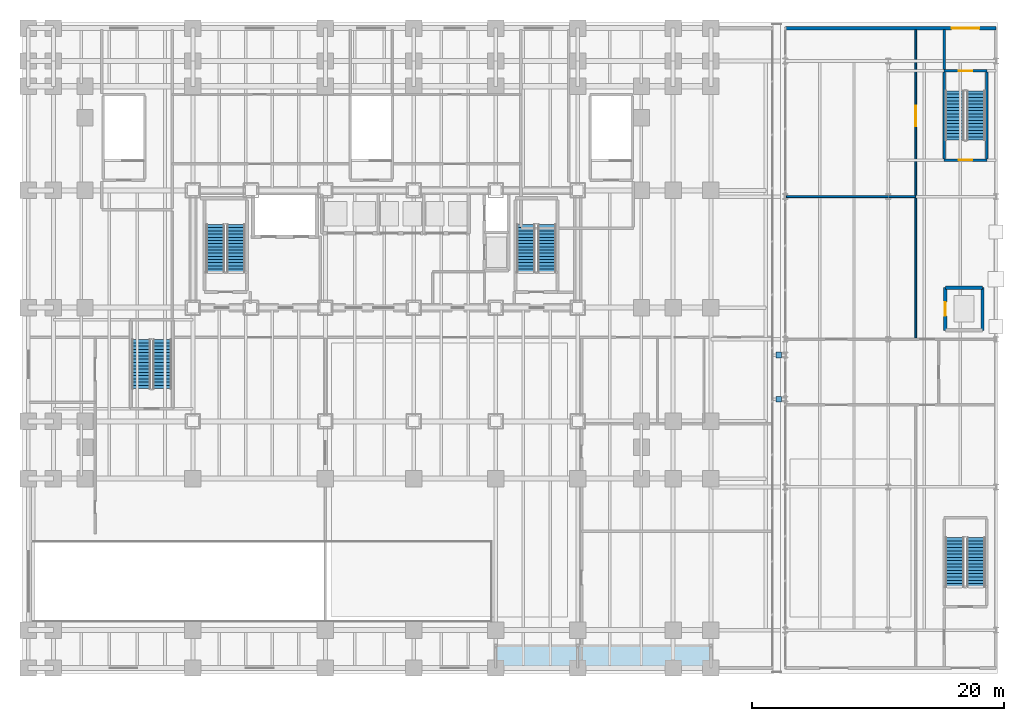
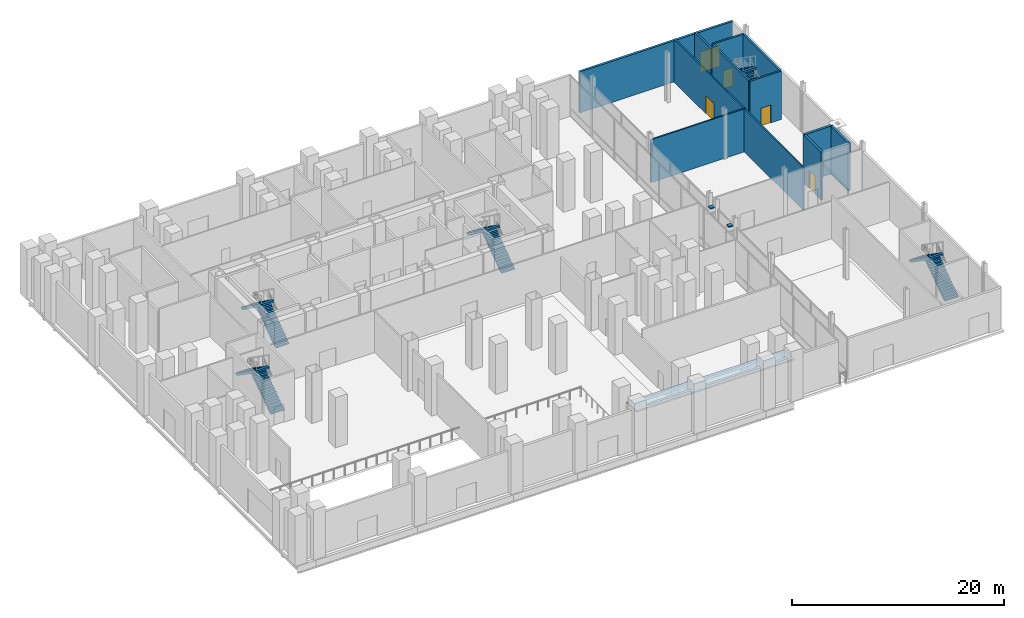
# One storey, part 26 of 36: 11 walls, 10 stair flights, 5 doors, 2 discrete accessories, 1 roof, 5 openings, 5 elements without a shape of their own.
"""IFC4 building model written with IfcOpenShell, lengths in metres."""

import ifcopenshell
import ifcopenshell.guid

model = None  # the IFC model being written
_history = None  # IfcOwnerHistory: only IFC2X3 demands one
_inside = {}  # id of a spatial element -> (the spatial element, [elements in it])
_under = {}  # id of a project, library or spatial element -> (it, [spatial elements below it])
_declared = {}  # id of a project -> (the project, [libraries it declares])
_typed = {}  # id of a type object -> (the type object, [elements of that type])
_made_of = {}  # id of a material, layer set ... -> (it, [elements and type objects made of it])


def new_model(schema):
    """Start an empty IFC model of exactly this schema.

    Asked for "IFC4X3", IfcOpenShell would pick the latest addendum, in which some entities
    have other attributes; the version numbers below select the first issue.
    IFC2X3 requires an IfcOwnerHistory on every rooted entity: one is made here for all.
    """
    global model, _history
    if schema == "IFC4X3":
        model = ifcopenshell.file(schema_version=(4, 3, 0, 0))
    else:
        model = ifcopenshell.file(schema=schema)
    _inside.clear()
    _under.clear()
    _declared.clear()
    _typed.clear()
    _made_of.clear()
    _history = None
    if model.schema == "IFC2X3":
        org = make("IfcOrganization", Name="unknown")
        user = make(
            "IfcPersonAndOrganization",
            ThePerson=make("IfcPerson", FamilyName="unknown"),
            TheOrganization=org,
        )
        app = make(
            "IfcApplication",
            ApplicationDeveloper=org,
            Version="unknown",
            ApplicationFullName="unknown",
            ApplicationIdentifier="unknown",
        )
        _history = make(
            "IfcOwnerHistory",
            OwningUser=user,
            OwningApplication=app,
            ChangeAction="ADDED",
            CreationDate=0,
        )
    return model


def make(cls, **values):
    """One entity of the class cls with the attributes given. An attribute that is None is left unset."""
    return model.create_entity(
        cls, **{name: value for name, value in values.items() if value is not None}
    )


def rooted(cls, **values):
    """An entity with a GlobalId (a new one), such as an element, a storey or a relation."""
    return make(cls, GlobalId=ifcopenshell.guid.new(), OwnerHistory=_history, **values)


def si_unit(unit_type, name, prefix=None):
    """IfcSIUnit, for example si_unit("LENGTHUNIT", "METRE", prefix="MILLI")."""
    return make("IfcSIUnit", UnitType=unit_type, Prefix=prefix, Name=name)


def assignment(units):
    """IfcUnitAssignment: the units of a project."""
    return None if units is None else make("IfcUnitAssignment", Units=units)


def point(xyz):
    """IfcCartesianPoint."""
    return None if xyz is None else make("IfcCartesianPoint", Coordinates=xyz)


def direction(xyz):
    """IfcDirection."""
    return None if xyz is None else make("IfcDirection", DirectionRatios=xyz)


def frame(location, z_axis=None, x_axis=None):
    """IfcAxis2Placement3D, a coordinate frame: its origin and axes. An axis left out is left unset."""
    return make(
        "IfcAxis2Placement3D",
        Location=point(location),
        Axis=direction(z_axis),
        RefDirection=direction(x_axis),
    )


def frame_2d(location, x_axis=None):
    """IfcAxis2Placement2D, a coordinate frame in the plane: its origin and x axis."""
    return make(
        "IfcAxis2Placement2D", Location=point(location), RefDirection=direction(x_axis)
    )


def origin():
    """The frame at (0, 0, 0) with its axes left unset."""
    return frame((0.0, 0.0, 0.0))


def origin_2d():
    """The frame at (0, 0) in the plane with its x axis left unset."""
    return frame_2d((0.0, 0.0))


def place(relative_to, where):
    """IfcLocalPlacement: puts the frame where relative to a parent placement (None: the world)."""
    return make(
        "IfcLocalPlacement", PlacementRelTo=relative_to, RelativePlacement=where
    )


def context(
    kind, dimensions, precision=None, world=None, true_north=None, identifier=None
):
    """IfcGeometricRepresentationContext, for example the 3D "Model" context."""
    return make(
        "IfcGeometricRepresentationContext",
        ContextIdentifier=identifier,
        ContextType=kind,
        CoordinateSpaceDimension=dimensions,
        Precision=precision,
        WorldCoordinateSystem=world,
        TrueNorth=true_north,
    )


def subcontext(parent, identifier, kind, view, scale=None):
    """IfcGeometricRepresentationSubContext, for example "Body" below "Model"."""
    return make(
        "IfcGeometricRepresentationSubContext",
        ContextIdentifier=identifier,
        ContextType=kind,
        ParentContext=parent,
        TargetScale=scale,
        TargetView=view,
    )


def project(units=None, contexts=None):
    """IfcProject with its units and contexts."""
    return rooted(
        "IfcProject",
        Name="project",
        RepresentationContexts=contexts,
        UnitsInContext=assignment(units),
    )


def spatial(cls, under=None, at=None, **own):
    """A site, building, storey or space (cls), placed at a placement, below another one or the project."""
    s = rooted(cls, ObjectPlacement=at, **own)
    if under is not None:
        _under.setdefault(under.id(), (under, []))[1].append(s)
    return s


def polyline(points):
    """IfcPolyline through the points."""
    return make("IfcPolyline", Points=[point(p) for p in points])


def profile(cls, at=None, kind="AREA", **sizes):
    """A parametric profile (cls). Its sizes go by their IFC names, for example OverallWidth=200.0."""
    return make(cls, ProfileType=kind, Position=at, **sizes)


def rectangle(**sizes):
    """IfcRectangleProfileDef."""
    return profile("IfcRectangleProfileDef", **sizes)


def outline(outer, holes=None, kind="AREA"):
    """IfcArbitraryClosedProfileDef: a profile drawn as a closed curve; with holes, ...WithVoids."""
    if holes is None:
        return make("IfcArbitraryClosedProfileDef", ProfileType=kind, OuterCurve=outer)
    return make(
        "IfcArbitraryProfileDefWithVoids",
        ProfileType=kind,
        OuterCurve=outer,
        InnerCurves=holes,
    )


def extrude(swept, where, along, depth):
    """IfcExtrudedAreaSolid: the profile swept, set in the frame where, extruded along a direction by depth."""
    return make(
        "IfcExtrudedAreaSolid",
        SweptArea=swept,
        Position=where,
        ExtrudedDirection=direction(along),
        Depth=depth,
    )


def shape(context_of_items, identifier, shape_type, items):
    """IfcShapeRepresentation: the items that make up one representation, for example the "Body"."""
    return make(
        "IfcShapeRepresentation",
        ContextOfItems=context_of_items,
        RepresentationIdentifier=identifier,
        RepresentationType=shape_type,
        Items=items,
    )


def material(Name=None, Category=None):
    """IfcMaterial."""
    return make("IfcMaterial", Name=Name, Category=Category)


def layer(
    of_material, thickness, ventilated=None, Name=None, Category=None, Priority=None
):
    """IfcMaterialLayer: one layer of a wall or slab, of a material (None: an air gap)."""
    return make(
        "IfcMaterialLayer",
        Material=of_material,
        LayerThickness=thickness,
        IsVentilated=ventilated,
        Name=Name,
        Category=Category,
        Priority=Priority,
    )


def layer_set(layers, Name=None):
    """IfcMaterialLayerSet."""
    return make("IfcMaterialLayerSet", MaterialLayers=layers, LayerSetName=Name)


def made_of(thing, what):
    """Note that an element or type object is made of a material, layer set ...; save() writes the relation."""
    if what is not None:
        _made_of.setdefault(what.id(), (what, []))[1].append(thing)
    return thing


def type_object(cls, material=None, **own):
    """A type object (cls), such as IfcWallType, which elements share."""
    return made_of(rooted(cls, **own), material)


def element(
    cls,
    number,
    at=None,
    inside=None,
    cuts=None,
    type_object=None,
    material=None,
    context=None,
    identifier="Body",
    shape_type=None,
    held_by="IfcProductDefinitionShape",
    body=None,
    shapes=None,
    **own,
):
    """One element of the class cls, such as IfcWall. Its Tag is "e" and its number.

    at: its placement. inside: the storey or other place that contains it. cuts: it is an
    opening in that element (IfcRelVoidsElement). A single representation is given by context,
    identifier, shape_type and body (its items); several are given by shapes. held_by: the class
    of the entity that holds the representations. save() writes the other relations.
    """
    e = rooted(cls, Tag="e%d" % number, ObjectPlacement=at, **own)
    if body is not None:
        shapes = [shape(context, identifier, shape_type, body)]
    if shapes is not None:
        e.Representation = make(held_by, Representations=shapes)
    if inside is not None:
        _inside.setdefault(inside.id(), (inside, []))[1].append(e)
    if cuts is not None:
        rooted(
            "IfcRelVoidsElement", RelatingBuildingElement=cuts, RelatedOpeningElement=e
        )
    if type_object is not None:
        _typed.setdefault(type_object.id(), (type_object, []))[1].append(e)
    return made_of(e, material)


def fill(opening, filler):
    """IfcRelFillsElement: the door or window that sits in an opening."""
    return rooted(
        "IfcRelFillsElement",
        RelatingOpeningElement=opening,
        RelatedBuildingElement=filler,
    )


def aggregate(whole, parts):
    """IfcRelAggregates: a whole, such as a stair, and the parts it consists of."""
    return rooted("IfcRelAggregates", RelatingObject=whole, RelatedObjects=parts)


def save(model, path):
    """Write the relations noted so far, then the file.

    IfcRelAggregates (storeys below a building ...), IfcRelContainedInSpatialStructure (elements
    in a storey), IfcRelDefinesByType, IfcRelAssociatesMaterial and IfcRelDeclares: one each for
    every whole, place, type object, material and project.
    """
    for whole, parts in _under.values():
        aggregate(whole, parts)
    for where, things in _inside.values():
        rooted(
            "IfcRelContainedInSpatialStructure",
            RelatedElements=things,
            RelatingStructure=where,
        )
    for kind, things in _typed.values():
        rooted("IfcRelDefinesByType", RelatedObjects=things, RelatingType=kind)
    for what, things in _made_of.values():
        rooted("IfcRelAssociatesMaterial", RelatedObjects=things, RelatingMaterial=what)
    for by, libraries in _declared.values():
        rooted("IfcRelDeclares", RelatingContext=by, RelatedDefinitions=libraries)
    model.write(path)


model = new_model("IFC4")

# Units and contexts
model_context = context("Model", 3, precision=1e-05, world=origin(), true_north=direction((0.0, 1.0)))
body_context = subcontext(model_context, "Body", "Model", "MODEL_VIEW")
ifc_project = project(units=[si_unit("LENGTHUNIT", "METRE"), si_unit("AREAUNIT", "SQUARE_METRE"), si_unit("VOLUMEUNIT", "CUBIC_METRE"), si_unit("PLANEANGLEUNIT", "RADIAN"), si_unit("MASSUNIT", "GRAM", prefix="KILO")], contexts=[model_context])

# Site, building, storey
site_placement = place(None, origin())
site = spatial("IfcSite", under=ifc_project, at=site_placement, CompositionType="ELEMENT")
building_placement = place(site_placement, origin())
building = spatial("IfcBuilding", under=site, at=building_placement, Name="Noeulbin Bourse Tower", CompositionType="ELEMENT")
storey_placement = place(building_placement, origin())
storey = spatial("IfcBuildingStorey", under=building, at=storey_placement, Name="L01", CompositionType="ELEMENT", Elevation=0.0)

# Wall, opening, door
ifc_material_1 = material(Name="Precast Concrete C40/50", Category="concrete")
ifc_layer_1 = layer(ifc_material_1, 0.25)
ifc_layer_set_1 = layer_set([ifc_layer_1], Name="Precast Concrete C40/50")
wall_type_1 = type_object("IfcWallType", Name="WAL-EXT-250", PredefinedType="STANDARD", material=ifc_layer_set_1)
wall_1_placement = place(storey_placement, frame((60.449951171875, 51.14990234375, 0.0), z_axis=(0.0, 0.0, 1.0), x_axis=(1.0, 0.0, 0.0)))
wall_1 = element("IfcWall", 1, at=wall_1_placement, inside=storey, type_object=wall_type_1, Name="Market Hall Ground North Wall", PredefinedType="STANDARD", context=body_context, shape_type="SweptSolid", body=[
    extrude(rectangle(XDim=16.699951171875, YDim=0.25, at=frame_2d((8.35009765625, 0.0))), origin(), (0.0, 0.0, 1.0), 4.75),
])
opening_1_placement = place(wall_1_placement, frame((13.169921875, 0.0, 0.0)))
opening_1 = element("IfcOpeningElement", 2, at=opening_1_placement, cuts=wall_1, Name="Opening ED-22", PredefinedType="OPENING", context=body_context, shape_type="SweptSolid", body=[
    extrude(rectangle(XDim=2.199951171875, YDim=2.39990234375, at=frame_2d((1.10009765625, 1.199951171875))), frame((0.0, 0.135009765625, 0.0), z_axis=(0.0, -1.0, 0.0), x_axis=(1.0, 0.0, 0.0)), (0.0, 0.0, 1.0), 0.27001953125),
])
ifc_material_2 = material(Name="Anodised Aluminium Framed Toughened Glass", Category="aluminium")
door_type_1 = type_object("IfcDoorType", Name="DR-EXT-2200", OperationType="DOUBLE_DOOR_SINGLE_SWING", PredefinedType="DOOR", material=ifc_material_2)
door_1_placement = place(opening_1_placement, origin())
door_1 = element("IfcDoor", 3, at=door_1_placement, inside=storey, type_object=door_type_1, Name="Market Stair MST2 Direct Street Exit Portal ED-M3", OperationType="DOUBLE_DOOR_SINGLE_SWING", OverallHeight=2.39990234375, OverallWidth=2.199951171875, PredefinedType="DOOR", context=body_context, shape_type="SweptSolid", body=[
    extrude(rectangle(XDim=2.199951171875, YDim=2.39990234375, at=frame_2d((1.10009765625, 1.199951171875))), frame((0.0, 0.02490234375, 0.0), z_axis=(0.0, -1.0, 0.0), x_axis=(1.0, 0.0, 0.0)), (0.0, 0.0, 1.0), 0.050048828125),
])
fill(opening_1, door_1)

ifc_material_3 = material(Name="Concrete C40/50", Category="concrete")
ifc_layer_2 = layer(ifc_material_3, 0.199951171875)
ifc_layer_set_2 = layer_set([ifc_layer_2], Name="Concrete C40/50")
wall_type_2 = type_object("IfcWallType", Name="WAL-FIRE-200", PredefinedType="STANDARD", material=ifc_layer_set_2)
wall_2_placement = place(storey_placement, frame((73.02001953125, 40.699951171875, 0.0), z_axis=(0.0, 0.0, 1.0), x_axis=(1.0, 0.0, 0.0)))
wall_2 = element("IfcWall", 4, at=wall_2_placement, inside=storey, type_object=wall_type_2, Name="Stair MST2 South Wall L01", PredefinedType="STANDARD", context=body_context, shape_type="SweptSolid", body=[
    extrude(rectangle(XDim=3.39990234375, YDim=0.199951171875, at=frame_2d((1.699951171875, 0.0))), origin(), (0.0, 0.0, 1.0), 5.580078125),
])
opening_2_placement = place(wall_2_placement, frame((1.14990234375, 0.0, 0.0)))
opening_2 = element("IfcOpeningElement", 5, at=opening_2_placement, cuts=wall_2, Name="Opening FD-11", PredefinedType="OPENING", context=body_context, shape_type="SweptSolid", body=[
    extrude(rectangle(XDim=1.10009765625, YDim=2.080078125, at=frame_2d((0.550048828125, 1.0400390625))), frame((0.0, 0.10986328125, 0.0), z_axis=(0.0, -1.0, 0.0), x_axis=(1.0, 0.0, 0.0)), (0.0, 0.0, 1.0), 0.219970703125),
])
ifc_material_4 = material(Name="Fire-Rated Insulated Steel", Category="steel")
door_type_2 = type_object("IfcDoorType", Name="DR-FD60-1100", OperationType="SINGLE_SWING_LEFT", PredefinedType="DOOR", material=ifc_material_4)
door_2_placement = place(opening_2_placement, origin())
door_2 = element("IfcDoor", 6, at=door_2_placement, inside=storey, type_object=door_type_2, Name="Escape Stair Door MST2-L01", OperationType="SINGLE_SWING_RIGHT", OverallHeight=2.080078125, OverallWidth=1.10009765625, PredefinedType="DOOR", context=body_context, shape_type="SweptSolid", body=[
    extrude(rectangle(XDim=1.10009765625, YDim=2.080078125, at=frame_2d((0.550048828125, 1.0400390625))), frame((0.0, 0.02490234375, 0.0), z_axis=(0.0, -1.0, 0.0), x_axis=(1.0, 0.0, 0.0)), (0.0, 0.0, 1.0), 0.050048828125),
])
fill(opening_2, door_2)

wall_3_placement = place(storey_placement, frame((73.02001953125, 47.760009765625, 0.0), z_axis=(0.0, 0.0, 1.0), x_axis=(1.0, 0.0, 0.0)))
wall_3 = element("IfcWall", 7, at=wall_3_placement, inside=storey, type_object=wall_type_2, Name="Stair MST2 North Wall L01", PredefinedType="STANDARD", context=body_context, shape_type="SweptSolid", body=[
    extrude(rectangle(XDim=3.39990234375, YDim=0.199951171875, at=frame_2d((1.699951171875, 0.0))), origin(), (0.0, 0.0, 1.0), 5.580078125),
])
opening_3_placement = place(wall_3_placement, frame((1.14990234375, 0.0, 0.0)))
opening_3 = element("IfcOpeningElement", 8, at=opening_3_placement, cuts=wall_3, Name="Opening FD-11", PredefinedType="OPENING", context=body_context, shape_type="SweptSolid", body=[
    extrude(rectangle(XDim=1.10009765625, YDim=2.080078125, at=frame_2d((0.550048828125, 1.0400390625))), frame((0.0, 0.10986328125, 0.0), z_axis=(0.0, -1.0, 0.0), x_axis=(1.0, 0.0, 0.0)), (0.0, 0.0, 1.0), 0.219970703125),
])
door_3_placement = place(opening_3_placement, origin())
door_3 = element("IfcDoor", 9, at=door_3_placement, inside=storey, type_object=door_type_2, Name="Escape Stair Discharge Door MST2-L01", OperationType="SINGLE_SWING_LEFT", OverallHeight=2.080078125, OverallWidth=1.10009765625, PredefinedType="DOOR", context=body_context, shape_type="SweptSolid", body=[
    extrude(rectangle(XDim=1.10009765625, YDim=2.080078125, at=frame_2d((0.550048828125, 1.0400390625))), frame((0.0, 0.02490234375, 0.0), z_axis=(0.0, -1.0, 0.0), x_axis=(1.0, 0.0, 0.0)), (0.0, 0.0, 1.0), 0.050048828125),
])
fill(opening_3, door_3)

# Walls
for number, where, z_axis, x_axis, name in (
    (10, (73.0400390625, 40.800048828125, 0.0), (0.0, 0.0, 1.0), (0.0, 1.0, 0.0), "Stair MST2 West Wall L01"),
    (11, (76.39990234375, 40.800048828125, 0.0), (0.0, 0.0, 1.0), (0.0, 1.0, 0.0), "Stair MST2 East Wall L01"),
):
    element("IfcWall", number, at=place(storey_placement, frame(where, z_axis=z_axis, x_axis=x_axis)), inside=storey, type_object=wall_type_2, Name=name, PredefinedType="STANDARD", context=body_context, shape_type="SweptSolid", body=[
        extrude(rectangle(XDim=6.85986328125, YDim=0.199951171875, at=frame_2d((3.429931640625, 0.0))), origin(), (0.0, 0.0, 1.0), 5.580078125),
    ])
wall_4_placement = place(storey_placement, frame((73.0400390625, 47.8701171875, 0.0), z_axis=(0.0, 0.0, 1.0), x_axis=(0.0, 1.0, 0.0)))
element("IfcWall", 12, at=wall_4_placement, inside=storey, type_object=wall_type_2, Name="Interior Partition Wall L01-26", PredefinedType="STANDARD", context=body_context, shape_type="SweptSolid", body=[
    extrude(rectangle(XDim=3.159912109375, YDim=0.199951171875, at=frame_2d((1.580078125, 0.0))), origin(), (0.0, 0.0, 1.0), 4.9599609375),
])
ifc_material_5 = material(Name="Steel Stud Acoustic Gypsum Board", Category="steel")
ifc_layer_3 = layer(ifc_material_5, 0.14990234375)
ifc_layer_set_3 = layer_set([ifc_layer_3], Name="Steel Stud Acoustic Gypsum Board")
wall_type_3 = type_object("IfcWallType", Name="WAL-PRT-150", PredefinedType="PARTITIONING", material=ifc_layer_set_3)
wall_5_placement = place(storey_placement, frame((60.530029296875, 37.800048828125, 0.0), z_axis=(0.0, 0.0, 1.0), x_axis=(1.0, 0.0, 0.0)))
element("IfcWall", 13, at=wall_5_placement, inside=storey, type_object=wall_type_3, Name="Interior Partition Wall L01-13", PredefinedType="PARTITIONING", context=body_context, shape_type="SweptSolid", body=[
    extrude(rectangle(XDim=10.25, YDim=0.14990234375, at=frame_2d((5.125, 0.0))), origin(), (0.0, 0.0, 1.0), 4.9599609375),
])

# Wall, opening, door
wall_6_placement = place(storey_placement, frame((70.780029296875, 26.5849609375, 0.0), z_axis=(0.0, 0.0, 1.0), x_axis=(0.0, 1.0, 0.0)))
wall_6 = element("IfcWall", 14, at=wall_6_placement, inside=storey, type_object=wall_type_3, Name="Interior Partition Wall L01-34", PredefinedType="PARTITIONING", context=body_context, shape_type="SweptSolid", body=[
    extrude(rectangle(XDim=24.445068359375, YDim=0.14990234375, at=frame_2d((12.22265625, 0.0))), origin(), (0.0, 0.0, 1.0), 4.9599609375),
])
opening_4_placement = place(wall_6_placement, frame((16.81494140625, 0.0, 0.0)))
opening_4 = element("IfcOpeningElement", 15, at=opening_4_placement, cuts=wall_6, Name="Opening ID-16", PredefinedType="OPENING", context=body_context, shape_type="SweptSolid", body=[
    extrude(rectangle(XDim=1.60009765625, YDim=2.080078125, at=frame_2d((0.800048828125, 1.0400390625))), frame((0.0, 0.0849609375, 0.0), z_axis=(0.0, -1.0, 0.0), x_axis=(1.0, 0.0, 0.0)), (0.0, 0.0, 1.0), 0.169921875),
])
ifc_material_6 = material(Name="Acoustic Glazed Aluminium", Category="aluminium")
door_type_3 = type_object("IfcDoorType", Name="DR-DBL-1600", OperationType="DOUBLE_DOOR_SINGLE_SWING", PredefinedType="DOOR", material=ifc_material_6)
door_4_placement = place(opening_4_placement, origin())
door_4 = element("IfcDoor", 16, at=door_4_placement, inside=storey, type_object=door_type_3, Name="Interior Door L01-17", OperationType="DOUBLE_DOOR_SINGLE_SWING", OverallHeight=2.080078125, OverallWidth=1.60009765625, PredefinedType="DOOR", context=body_context, shape_type="SweptSolid", body=[
    extrude(rectangle(XDim=1.60009765625, YDim=2.080078125, at=frame_2d((0.800048828125, 1.0400390625))), frame((0.0, 0.02490234375, 0.0), z_axis=(0.0, -1.0, 0.0), x_axis=(1.0, 0.0, 0.0)), (0.0, 0.0, 1.0), 0.050048828125),
])
fill(opening_4, door_4)

ifc_layer_4 = layer(ifc_material_3, 0.25)
ifc_layer_set_4 = layer_set([ifc_layer_4], Name="Concrete C40/50")
wall_type_4 = type_object("IfcWallType", Name="WAL-SHFT-250", PredefinedType="STANDARD", material=ifc_layer_set_4)
wall_7_placement = place(storey_placement, frame((73.1201171875, 27.199951171875, 0.0), z_axis=(0.0, 0.0, 1.0), x_axis=(0.0, 1.0, 0.0)))
wall_7 = element("IfcWall", 17, at=wall_7_placement, inside=storey, type_object=wall_type_4, Name="Market Lift Shaft Front Wall L01", PredefinedType="STANDARD", context=body_context, shape_type="SweptSolid", body=[
    extrude(rectangle(XDim=3.400146484375, YDim=0.25, at=frame_2d((1.7001953125, 0.0))), origin(), (0.0, 0.0, 1.0), 5.550048828125),
])
opening_5_placement = place(wall_7_placement, frame((1.14990234375, 0.0, 0.0)))
opening_5 = element("IfcOpeningElement", 18, at=opening_5_placement, cuts=wall_7, Name="Opening LD-11", PredefinedType="OPENING", context=body_context, shape_type="SweptSolid", body=[
    extrude(rectangle(XDim=1.10009765625, YDim=2.080078125, at=frame_2d((0.550048828125, 1.0400390625))), frame((0.0, 0.135009765625, 0.0), z_axis=(0.0, -1.0, 0.0), x_axis=(1.0, 0.0, 0.0)), (0.0, 0.0, 1.0), 0.27001953125),
])
ifc_material_7 = material(Name="Brushed Stainless Steel 316", Category="steel")
door_type_4 = type_object("IfcDoorType", Name="DR-LIFT-1100", OperationType="SLIDING_TO_LEFT", PredefinedType="DOOR", material=ifc_material_7)
door_5_placement = place(opening_5_placement, origin())
door_5 = element("IfcDoor", 19, at=door_5_placement, inside=storey, type_object=door_type_4, Name="Lift Landing Door LD-ML-1-L01", OperationType="SLIDING_TO_LEFT", OverallHeight=2.080078125, OverallWidth=1.10009765625, PredefinedType="DOOR", context=body_context, shape_type="SweptSolid", body=[
    extrude(rectangle(XDim=1.10009765625, YDim=2.080078125, at=frame_2d((0.550048828125, 1.0400390625))), frame((0.0, 0.02490234375, 0.0), z_axis=(0.0, -1.0, 0.0), x_axis=(1.0, 0.0, 0.0)), (0.0, 0.0, 1.0), 0.050048828125),
])
fill(opening_5, door_5)

# Walls
wall_8_placement = place(storey_placement, frame((76.080078125, 27.199951171875, 0.0), z_axis=(0.0, 0.0, 1.0), x_axis=(0.0, 1.0, 0.0)))
element("IfcWall", 20, at=wall_8_placement, inside=storey, type_object=wall_type_4, Name="Market Lift Shaft Back Wall L01", PredefinedType="STANDARD", context=body_context, shape_type="SweptSolid", body=[
    extrude(rectangle(XDim=3.400146484375, YDim=0.25, at=frame_2d((1.7001953125, 0.0))), origin(), (0.0, 0.0, 1.0), 5.550048828125),
])
wall_9_placement = place(storey_placement, frame((73.1201171875, 30.580078125, 0.0), z_axis=(0.0, 0.0, 1.0), x_axis=(1.0, 0.0, 0.0)))
element("IfcWall", 21, at=wall_9_placement, inside=storey, type_object=wall_type_4, Name="Market Lift Shaft North Wall L01", PredefinedType="STANDARD", context=body_context, shape_type="SweptSolid", body=[
    extrude(rectangle(XDim=2.9599609375, YDim=0.25, at=frame_2d((1.47998046875, 0.0))), origin(), (0.0, 0.0, 1.0), 5.550048828125),
])

# Stair, stair flights
stair_type_1 = type_object("IfcStairType", Name="STR-AUX-1620", PredefinedType="HALF_TURN_STAIR", material=ifc_material_3)
stair_1_placement = place(storey_placement, origin())
stair_1 = element("IfcStair", 22, at=stair_1_placement, inside=storey, type_object=stair_type_1, Name="L01 ST-P1", PredefinedType="HALF_TURN_STAIR")
stair_flight_type_1 = type_object("IfcStairFlightType", Name="SFL-AUX-1620", PredefinedType="STRAIGHT", material=ifc_material_3)
stair_flight_1_placement = place(storey_placement, frame((11.070068359375, 22.580078125, 0.0), z_axis=(0.0, 0.0, 1.0), x_axis=(0.0, 1.0, 0.0)))
stair_flight_1 = element("IfcStairFlight", 23, at=stair_flight_1_placement, type_object=stair_flight_type_1, Name="ST-P1 flight 1", NumberOfRisers=16, NumberOfTreads=15, PredefinedType="STRAIGHT", RiserHeight=0.18125, TreadLength=0.26, context=body_context, shape_type="SweptSolid", body=[
    extrude(outline(polyline([(0.0, 0.0), (0.0, 0.18115234375), (0.260009765625, 0.18115234375), (0.260009765625, 0.362548828125), (0.52001953125, 0.362548828125), (0.52001953125, 0.543701171875), (0.780029296875, 0.543701171875), (0.780029296875, 0.72509765625), (1.0400390625, 0.72509765625), (1.0400390625, 0.90625), (1.300048828125, 0.90625), (1.300048828125, 1.08740234375), (1.56005859375, 1.08740234375), (1.56005859375, 1.268798828125), (1.820068359375, 1.268798828125), (1.820068359375, 1.449951171875), (2.080078125, 1.449951171875), (2.080078125, 1.63134765625), (2.340087890625, 1.63134765625), (2.340087890625, 1.8125), (2.60009765625, 1.8125), (2.60009765625, 1.99365234375), (2.860107421875, 1.99365234375), (2.860107421875, 2.175048828125), (3.1201171875, 2.175048828125), (3.1201171875, 2.356201171875), (3.3798828125, 2.356201171875), (3.3798828125, 2.53759765625), (3.639892578125, 2.53759765625), (3.639892578125, 2.71875), (3.89990234375, 2.71875), (3.89990234375, 2.89990234375), (3.89990234375, 2.49951171875), (0.314697265625, 0.0), (0.0, 0.0)])), frame((0.0, 0.72998046875, 0.0), z_axis=(0.0, -1.0, 0.0), x_axis=(1.0, 0.0, 0.0)), (0.0, 0.0, 1.0), 1.4599609375),
])
stair_flight_2_placement = place(storey_placement, frame((9.409912109375, 26.47998046875, 2.89990234375), z_axis=(0.0, 0.0, 1.0), x_axis=(0.0, -1.0, 0.0)))
stair_flight_2 = element("IfcStairFlight", 24, at=stair_flight_2_placement, type_object=stair_flight_type_1, Name="ST-P1 flight 2", NumberOfRisers=16, NumberOfTreads=15, PredefinedType="STRAIGHT", RiserHeight=0.18125, TreadLength=0.26, context=body_context, shape_type="SweptSolid", body=[
    extrude(outline(polyline([(0.0, 0.0), (0.0, 0.18115234375), (0.260009765625, 0.18115234375), (0.260009765625, 0.362548828125), (0.52001953125, 0.362548828125), (0.52001953125, 0.543701171875), (0.780029296875, 0.543701171875), (0.780029296875, 0.72509765625), (1.0400390625, 0.72509765625), (1.0400390625, 0.90625), (1.300048828125, 0.90625), (1.300048828125, 1.08740234375), (1.56005859375, 1.08740234375), (1.56005859375, 1.268798828125), (1.820068359375, 1.268798828125), (1.820068359375, 1.449951171875), (2.080078125, 1.449951171875), (2.080078125, 1.63134765625), (2.340087890625, 1.63134765625), (2.340087890625, 1.8125), (2.60009765625, 1.8125), (2.60009765625, 1.99365234375), (2.860107421875, 1.99365234375), (2.860107421875, 2.175048828125), (3.1201171875, 2.175048828125), (3.1201171875, 2.356201171875), (3.3798828125, 2.356201171875), (3.3798828125, 2.53759765625), (3.639892578125, 2.53759765625), (3.639892578125, 2.71875), (3.89990234375, 2.71875), (3.89990234375, 2.89990234375), (3.89990234375, 2.49951171875), (0.314697265625, 0.0), (0.0, 0.0)])), frame((0.0, 0.72998046875, 0.0), z_axis=(0.0, -1.0, 0.0), x_axis=(1.0, 0.0, 0.0)), (0.0, 0.0, 1.0), 1.4599609375),
])
aggregate(stair_1, [stair_flight_1, stair_flight_2])

stair_type_2 = type_object("IfcStairType", Name="STR-CORE-1560", PredefinedType="HALF_TURN_STAIR", material=ifc_material_3)
stair_2_placement = place(storey_placement, origin())
stair_2 = element("IfcStair", 25, at=stair_2_placement, inside=storey, type_object=stair_type_2, Name="L01 ST-1", PredefinedType="HALF_TURN_STAIR")
stair_flight_type_2 = type_object("IfcStairFlightType", Name="SFL-CORE-1560", PredefinedType="STRAIGHT", material=ifc_material_3)
stair_flight_3_placement = place(storey_placement, frame((16.925048828125, 31.81005859375, 0.0), z_axis=(0.0, 0.0, 1.0), x_axis=(0.0, 1.0, 0.0)))
stair_flight_3 = element("IfcStairFlight", 26, at=stair_flight_3_placement, type_object=stair_flight_type_2, Name="ST-1 flight 1", NumberOfRisers=16, NumberOfTreads=15, PredefinedType="STRAIGHT", RiserHeight=0.18125, TreadLength=0.252, context=body_context, shape_type="SweptSolid", body=[
    extrude(outline(polyline([(0.0, 0.0), (0.0, 0.18115234375), (0.251953125, 0.18115234375), (0.251953125, 0.362548828125), (0.50390625, 0.362548828125), (0.50390625, 0.543701171875), (0.756103515625, 0.543701171875), (0.756103515625, 0.72509765625), (1.008056640625, 0.72509765625), (1.008056640625, 0.90625), (1.260009765625, 0.90625), (1.260009765625, 1.08740234375), (1.511962890625, 1.08740234375), (1.511962890625, 1.268798828125), (1.763916015625, 1.268798828125), (1.763916015625, 1.449951171875), (2.01611328125, 1.449951171875), (2.01611328125, 1.63134765625), (2.26806640625, 1.63134765625), (2.26806640625, 1.8125), (2.52001953125, 1.8125), (2.52001953125, 1.99365234375), (2.77197265625, 1.99365234375), (2.77197265625, 2.175048828125), (3.02392578125, 2.175048828125), (3.02392578125, 2.356201171875), (3.27587890625, 2.356201171875), (3.27587890625, 2.53759765625), (3.528076171875, 2.53759765625), (3.528076171875, 2.71875), (3.780029296875, 2.71875), (3.780029296875, 2.89990234375), (3.780029296875, 2.4970703125), (0.30810546875, 0.0), (0.0, 0.0)])), frame((0.0, 0.72509765625, 0.0), z_axis=(0.0, -1.0, 0.0), x_axis=(1.0, 0.0, 0.0)), (0.0, 0.0, 1.0), 1.449951171875),
])
stair_flight_4_placement = place(storey_placement, frame((15.27490234375, 35.590087890625, 2.89990234375), z_axis=(0.0, 0.0, 1.0), x_axis=(0.0, -1.0, 0.0)))
stair_flight_4 = element("IfcStairFlight", 27, at=stair_flight_4_placement, type_object=stair_flight_type_2, Name="ST-1 flight 2", NumberOfRisers=16, NumberOfTreads=15, PredefinedType="STRAIGHT", RiserHeight=0.18125, TreadLength=0.252, context=body_context, shape_type="SweptSolid", body=[
    extrude(outline(polyline([(0.0, 0.0), (0.0, 0.18115234375), (0.251953125, 0.18115234375), (0.251953125, 0.362548828125), (0.50390625, 0.362548828125), (0.50390625, 0.543701171875), (0.756103515625, 0.543701171875), (0.756103515625, 0.72509765625), (1.008056640625, 0.72509765625), (1.008056640625, 0.90625), (1.260009765625, 0.90625), (1.260009765625, 1.08740234375), (1.511962890625, 1.08740234375), (1.511962890625, 1.268798828125), (1.763916015625, 1.268798828125), (1.763916015625, 1.449951171875), (2.01611328125, 1.449951171875), (2.01611328125, 1.63134765625), (2.26806640625, 1.63134765625), (2.26806640625, 1.8125), (2.52001953125, 1.8125), (2.52001953125, 1.99365234375), (2.77197265625, 1.99365234375), (2.77197265625, 2.175048828125), (3.02392578125, 2.175048828125), (3.02392578125, 2.356201171875), (3.27587890625, 2.356201171875), (3.27587890625, 2.53759765625), (3.528076171875, 2.53759765625), (3.528076171875, 2.71875), (3.780029296875, 2.71875), (3.780029296875, 2.89990234375), (3.780029296875, 2.4970703125), (0.30810546875, 0.0), (0.0, 0.0)])), frame((0.0, 0.72509765625, 0.0), z_axis=(0.0, -1.0, 0.0), x_axis=(1.0, 0.0, 0.0)), (0.0, 0.0, 1.0), 1.449951171875),
])
aggregate(stair_2, [stair_flight_3, stair_flight_4])

stair_3_placement = place(storey_placement, origin())
stair_3 = element("IfcStair", 28, at=stair_3_placement, inside=storey, type_object=stair_type_2, Name="L01 ST-2", PredefinedType="HALF_TURN_STAIR")
stair_flight_5_placement = place(storey_placement, frame((41.554931640625, 31.81005859375, 0.0), z_axis=(0.0, 0.0, 1.0), x_axis=(0.0, 1.0, 0.0)))
stair_flight_5 = element("IfcStairFlight", 29, at=stair_flight_5_placement, type_object=stair_flight_type_2, Name="ST-2 flight 1", NumberOfRisers=16, NumberOfTreads=15, PredefinedType="STRAIGHT", RiserHeight=0.18125, TreadLength=0.252, context=body_context, shape_type="SweptSolid", body=[
    extrude(outline(polyline([(0.0, 0.0), (0.0, 0.18115234375), (0.251953125, 0.18115234375), (0.251953125, 0.362548828125), (0.50390625, 0.362548828125), (0.50390625, 0.543701171875), (0.756103515625, 0.543701171875), (0.756103515625, 0.72509765625), (1.008056640625, 0.72509765625), (1.008056640625, 0.90625), (1.260009765625, 0.90625), (1.260009765625, 1.08740234375), (1.511962890625, 1.08740234375), (1.511962890625, 1.268798828125), (1.763916015625, 1.268798828125), (1.763916015625, 1.449951171875), (2.01611328125, 1.449951171875), (2.01611328125, 1.63134765625), (2.26806640625, 1.63134765625), (2.26806640625, 1.8125), (2.52001953125, 1.8125), (2.52001953125, 1.99365234375), (2.77197265625, 1.99365234375), (2.77197265625, 2.175048828125), (3.02392578125, 2.175048828125), (3.02392578125, 2.356201171875), (3.27587890625, 2.356201171875), (3.27587890625, 2.53759765625), (3.528076171875, 2.53759765625), (3.528076171875, 2.71875), (3.780029296875, 2.71875), (3.780029296875, 2.89990234375), (3.780029296875, 2.4970703125), (0.30810546875, 0.0), (0.0, 0.0)])), frame((0.0, 0.72509765625, 0.0), z_axis=(0.0, -1.0, 0.0), x_axis=(1.0, 0.0, 0.0)), (0.0, 0.0, 1.0), 1.449951171875),
])
stair_flight_6_placement = place(storey_placement, frame((39.905029296875, 35.590087890625, 2.89990234375), z_axis=(0.0, 0.0, 1.0), x_axis=(0.0, -1.0, 0.0)))
stair_flight_6 = element("IfcStairFlight", 30, at=stair_flight_6_placement, type_object=stair_flight_type_2, Name="ST-2 flight 2", NumberOfRisers=16, NumberOfTreads=15, PredefinedType="STRAIGHT", RiserHeight=0.18125, TreadLength=0.252, context=body_context, shape_type="SweptSolid", body=[
    extrude(outline(polyline([(0.0, 0.0), (0.0, 0.18115234375), (0.251953125, 0.18115234375), (0.251953125, 0.362548828125), (0.50390625, 0.362548828125), (0.50390625, 0.543701171875), (0.756103515625, 0.543701171875), (0.756103515625, 0.72509765625), (1.008056640625, 0.72509765625), (1.008056640625, 0.90625), (1.260009765625, 0.90625), (1.260009765625, 1.08740234375), (1.511962890625, 1.08740234375), (1.511962890625, 1.268798828125), (1.763916015625, 1.268798828125), (1.763916015625, 1.449951171875), (2.01611328125, 1.449951171875), (2.01611328125, 1.63134765625), (2.26806640625, 1.63134765625), (2.26806640625, 1.8125), (2.52001953125, 1.8125), (2.52001953125, 1.99365234375), (2.77197265625, 1.99365234375), (2.77197265625, 2.175048828125), (3.02392578125, 2.175048828125), (3.02392578125, 2.356201171875), (3.27587890625, 2.356201171875), (3.27587890625, 2.53759765625), (3.528076171875, 2.53759765625), (3.528076171875, 2.71875), (3.780029296875, 2.71875), (3.780029296875, 2.89990234375), (3.780029296875, 2.4970703125), (0.30810546875, 0.0), (0.0, 0.0)])), frame((0.0, 0.72509765625, 0.0), z_axis=(0.0, -1.0, 0.0), x_axis=(1.0, 0.0, 0.0)), (0.0, 0.0, 1.0), 1.449951171875),
])
aggregate(stair_3, [stair_flight_5, stair_flight_6])

stair_type_3 = type_object("IfcStairType", Name="STR-MKT-1480", PredefinedType="HALF_TURN_STAIR", material=ifc_material_3)
stair_4_placement = place(storey_placement, origin())
stair_4 = element("IfcStair", 31, at=stair_4_placement, inside=storey, type_object=stair_type_3, Name="L01 MST-1", PredefinedType="HALF_TURN_STAIR")
stair_flight_type_3 = type_object("IfcStairFlightType", Name="SFL-MKT-1480", PredefinedType="STRAIGHT", material=ifc_material_3)
stair_flight_7_placement = place(storey_placement, frame((75.56005859375, 6.8798828125, 0.0), z_axis=(0.0, 0.0, 1.0), x_axis=(0.0, 1.0, 0.0)))
stair_flight_7 = element("IfcStairFlight", 32, at=stair_flight_7_placement, type_object=stair_flight_type_3, Name="MST-1 flight 1", NumberOfRisers=16, NumberOfTreads=15, PredefinedType="STRAIGHT", RiserHeight=0.18125, TreadLength=0.26, context=body_context, shape_type="SweptSolid", body=[
    extrude(outline(polyline([(0.0, 0.0), (0.0, 0.18115234375), (0.260009765625, 0.18115234375), (0.260009765625, 0.362548828125), (0.52001953125, 0.362548828125), (0.52001953125, 0.543701171875), (0.780029296875, 0.543701171875), (0.780029296875, 0.72509765625), (1.0400390625, 0.72509765625), (1.0400390625, 0.90625), (1.300048828125, 0.90625), (1.300048828125, 1.08740234375), (1.56005859375, 1.08740234375), (1.56005859375, 1.268798828125), (1.820068359375, 1.268798828125), (1.820068359375, 1.449951171875), (2.080078125, 1.449951171875), (2.080078125, 1.63134765625), (2.340087890625, 1.63134765625), (2.340087890625, 1.8125), (2.60009765625, 1.8125), (2.60009765625, 1.99365234375), (2.860107421875, 1.99365234375), (2.860107421875, 2.175048828125), (3.1201171875, 2.175048828125), (3.1201171875, 2.356201171875), (3.3798828125, 2.356201171875), (3.3798828125, 2.53759765625), (3.639892578125, 2.53759765625), (3.639892578125, 2.71875), (3.89990234375, 2.71875), (3.89990234375, 2.89990234375), (3.89990234375, 2.49951171875), (0.314697265625, 0.0), (0.0, 0.0)])), frame((0.0, 0.739990234375, 0.0), z_axis=(0.0, -1.0, 0.0), x_axis=(1.0, 0.0, 0.0)), (0.0, 0.0, 1.0), 1.47998046875),
])
stair_flight_8_placement = place(storey_placement, frame((73.8798828125, 10.780029296875, 2.89990234375), z_axis=(0.0, 0.0, 1.0), x_axis=(0.0, -1.0, 0.0)))
stair_flight_8 = element("IfcStairFlight", 33, at=stair_flight_8_placement, type_object=stair_flight_type_3, Name="MST-1 flight 2", NumberOfRisers=16, NumberOfTreads=15, PredefinedType="STRAIGHT", RiserHeight=0.18125, TreadLength=0.26, context=body_context, shape_type="SweptSolid", body=[
    extrude(outline(polyline([(0.0, 0.0), (0.0, 0.18115234375), (0.260009765625, 0.18115234375), (0.260009765625, 0.362548828125), (0.52001953125, 0.362548828125), (0.52001953125, 0.543701171875), (0.780029296875, 0.543701171875), (0.780029296875, 0.72509765625), (1.0400390625, 0.72509765625), (1.0400390625, 0.90625), (1.300048828125, 0.90625), (1.300048828125, 1.08740234375), (1.56005859375, 1.08740234375), (1.56005859375, 1.268798828125), (1.820068359375, 1.268798828125), (1.820068359375, 1.449951171875), (2.080078125, 1.449951171875), (2.080078125, 1.63134765625), (2.340087890625, 1.63134765625), (2.340087890625, 1.8125), (2.60009765625, 1.8125), (2.60009765625, 1.99365234375), (2.860107421875, 1.99365234375), (2.860107421875, 2.175048828125), (3.1201171875, 2.175048828125), (3.1201171875, 2.356201171875), (3.3798828125, 2.356201171875), (3.3798828125, 2.53759765625), (3.639892578125, 2.53759765625), (3.639892578125, 2.71875), (3.89990234375, 2.71875), (3.89990234375, 2.89990234375), (3.89990234375, 2.49951171875), (0.314697265625, 0.0), (0.0, 0.0)])), frame((0.0, 0.739990234375, 0.0), z_axis=(0.0, -1.0, 0.0), x_axis=(1.0, 0.0, 0.0)), (0.0, 0.0, 1.0), 1.47998046875),
])
aggregate(stair_4, [stair_flight_7, stair_flight_8])

stair_5_placement = place(storey_placement, origin())
stair_5 = element("IfcStair", 34, at=stair_5_placement, inside=storey, type_object=stair_type_3, Name="L01 MST-2", PredefinedType="HALF_TURN_STAIR")
stair_flight_9_placement = place(storey_placement, frame((75.56005859375, 42.280029296875, 0.0), z_axis=(0.0, 0.0, 1.0), x_axis=(0.0, 1.0, 0.0)))
stair_flight_9 = element("IfcStairFlight", 35, at=stair_flight_9_placement, type_object=stair_flight_type_3, Name="MST-2 flight 1", NumberOfRisers=16, NumberOfTreads=15, PredefinedType="STRAIGHT", RiserHeight=0.18125, TreadLength=0.26, context=body_context, shape_type="SweptSolid", body=[
    extrude(outline(polyline([(0.0, 0.0), (0.0, 0.18115234375), (0.260009765625, 0.18115234375), (0.260009765625, 0.362548828125), (0.52001953125, 0.362548828125), (0.52001953125, 0.543701171875), (0.780029296875, 0.543701171875), (0.780029296875, 0.72509765625), (1.0400390625, 0.72509765625), (1.0400390625, 0.90625), (1.300048828125, 0.90625), (1.300048828125, 1.08740234375), (1.56005859375, 1.08740234375), (1.56005859375, 1.268798828125), (1.820068359375, 1.268798828125), (1.820068359375, 1.449951171875), (2.080078125, 1.449951171875), (2.080078125, 1.63134765625), (2.340087890625, 1.63134765625), (2.340087890625, 1.8125), (2.60009765625, 1.8125), (2.60009765625, 1.99365234375), (2.860107421875, 1.99365234375), (2.860107421875, 2.175048828125), (3.1201171875, 2.175048828125), (3.1201171875, 2.356201171875), (3.3798828125, 2.356201171875), (3.3798828125, 2.53759765625), (3.639892578125, 2.53759765625), (3.639892578125, 2.71875), (3.89990234375, 2.71875), (3.89990234375, 2.89990234375), (3.89990234375, 2.49951171875), (0.314697265625, 0.0), (0.0, 0.0)])), frame((0.0, 0.739990234375, 0.0), z_axis=(0.0, -1.0, 0.0), x_axis=(1.0, 0.0, 0.0)), (0.0, 0.0, 1.0), 1.47998046875),
])
stair_flight_10_placement = place(storey_placement, frame((73.8798828125, 46.179931640625, 2.89990234375), z_axis=(0.0, 0.0, 1.0), x_axis=(0.0, -1.0, 0.0)))
stair_flight_10 = element("IfcStairFlight", 36, at=stair_flight_10_placement, type_object=stair_flight_type_3, Name="MST-2 flight 2", NumberOfRisers=16, NumberOfTreads=15, PredefinedType="STRAIGHT", RiserHeight=0.18125, TreadLength=0.26, context=body_context, shape_type="SweptSolid", body=[
    extrude(outline(polyline([(0.0, 0.0), (0.0, 0.18115234375), (0.260009765625, 0.18115234375), (0.260009765625, 0.362548828125), (0.52001953125, 0.362548828125), (0.52001953125, 0.543701171875), (0.780029296875, 0.543701171875), (0.780029296875, 0.72509765625), (1.0400390625, 0.72509765625), (1.0400390625, 0.90625), (1.300048828125, 0.90625), (1.300048828125, 1.08740234375), (1.56005859375, 1.08740234375), (1.56005859375, 1.268798828125), (1.820068359375, 1.268798828125), (1.820068359375, 1.449951171875), (2.080078125, 1.449951171875), (2.080078125, 1.63134765625), (2.340087890625, 1.63134765625), (2.340087890625, 1.8125), (2.60009765625, 1.8125), (2.60009765625, 1.99365234375), (2.860107421875, 1.99365234375), (2.860107421875, 2.175048828125), (3.1201171875, 2.175048828125), (3.1201171875, 2.356201171875), (3.3798828125, 2.356201171875), (3.3798828125, 2.53759765625), (3.639892578125, 2.53759765625), (3.639892578125, 2.71875), (3.89990234375, 2.71875), (3.89990234375, 2.89990234375), (3.89990234375, 2.49951171875), (0.314697265625, 0.0), (0.0, 0.0)])), frame((0.0, 0.739990234375, 0.0), z_axis=(0.0, -1.0, 0.0), x_axis=(1.0, 0.0, 0.0)), (0.0, 0.0, 1.0), 1.47998046875),
])
aggregate(stair_5, [stair_flight_9, stair_flight_10])

# Roof
ifc_material_8 = material(Name="Laminated Structural Canopy Glass", Category="glass")
ifc_layer_5 = layer(ifc_material_8, 0.159912109375)
ifc_layer_set_5 = layer_set([ifc_layer_5], Name="Laminated Structural Canopy Glass")
roof_type = type_object("IfcRoofType", Name="ROF-CAN-GLZ", PredefinedType="FLAT_ROOF", material=ifc_layer_set_5)
roof_placement = place(storey_placement, frame((0.0, 0.0, 4.199951171875)))
element("IfcRoof", 37, at=roof_placement, inside=storey, type_object=roof_type, Name="South Station Plaza Glazed Canopy", PredefinedType="FLAT_ROOF", context=body_context, shape_type="SweptSolid", body=[
    extrude(outline(polyline([(37.39990234375, 0.449951171875), (54.64990234375, 0.449951171875), (54.64990234375, 2.25), (37.39990234375, 2.25), (37.39990234375, 0.449951171875)])), origin(), (0.0, 0.0, 1.0), 0.16015625),
])

# Discrete accessories
ifc_material_9 = material(Name="Stainless Steel 316", Category="steel")
ifc_layer_6 = layer(ifc_material_9, 0.1201171875)
ifc_layer_set_6 = layer_set([ifc_layer_6], Name="Stainless Steel 316")
discrete_accessory_type = type_object("IfcDiscreteAccessoryType", Name="ACC-PTFE-BRG", PredefinedType="BRACKET", material=ifc_layer_set_6)
for number, where, z_axis, x_axis, name in (
    (38, (59.919921875, 21.75, 4.929931640625), (0.0, 0.0, 1.0), (1.0, 0.0, 0.0), "Unguided PTFE Sliding Bridge Bearing SB-PTFE1-L02-1"),
    (39, (59.919921875, 25.25, 4.929931640625), (0.0, 0.0, 1.0), (1.0, 0.0, 0.0), "Unguided PTFE Sliding Bridge Bearing SB-PTFE1-L02-2"),
):
    element("IfcDiscreteAccessory", number, at=place(storey_placement, frame(where, z_axis=z_axis, x_axis=x_axis)), inside=storey, type_object=discrete_accessory_type, Name=name, PredefinedType="BRACKET", context=body_context, shape_type="SweptSolid", body=[
        extrude(rectangle(XDim=0.449951171875, YDim=0.449951171875, at=origin_2d()), origin(), (0.0, 0.0, 1.0), 0.1201171875),
    ])

save(model, "model.ifc")
